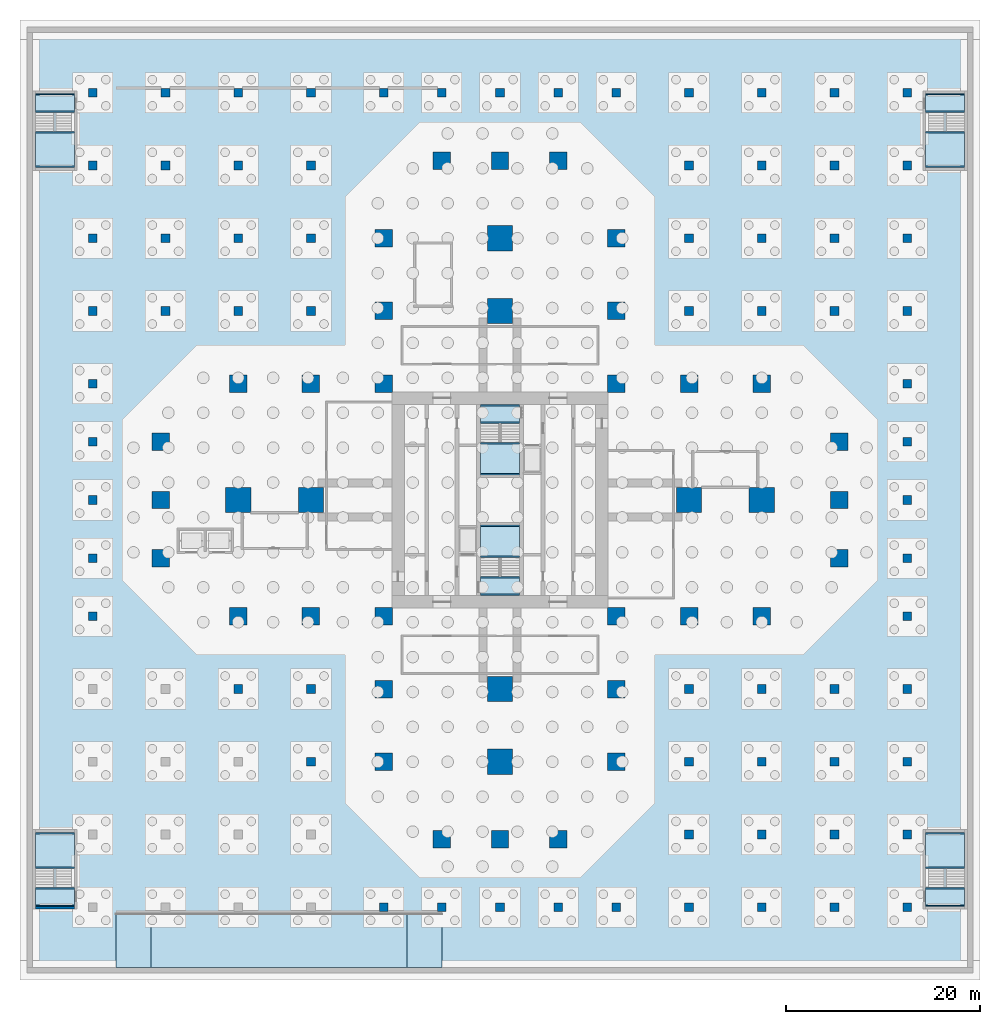
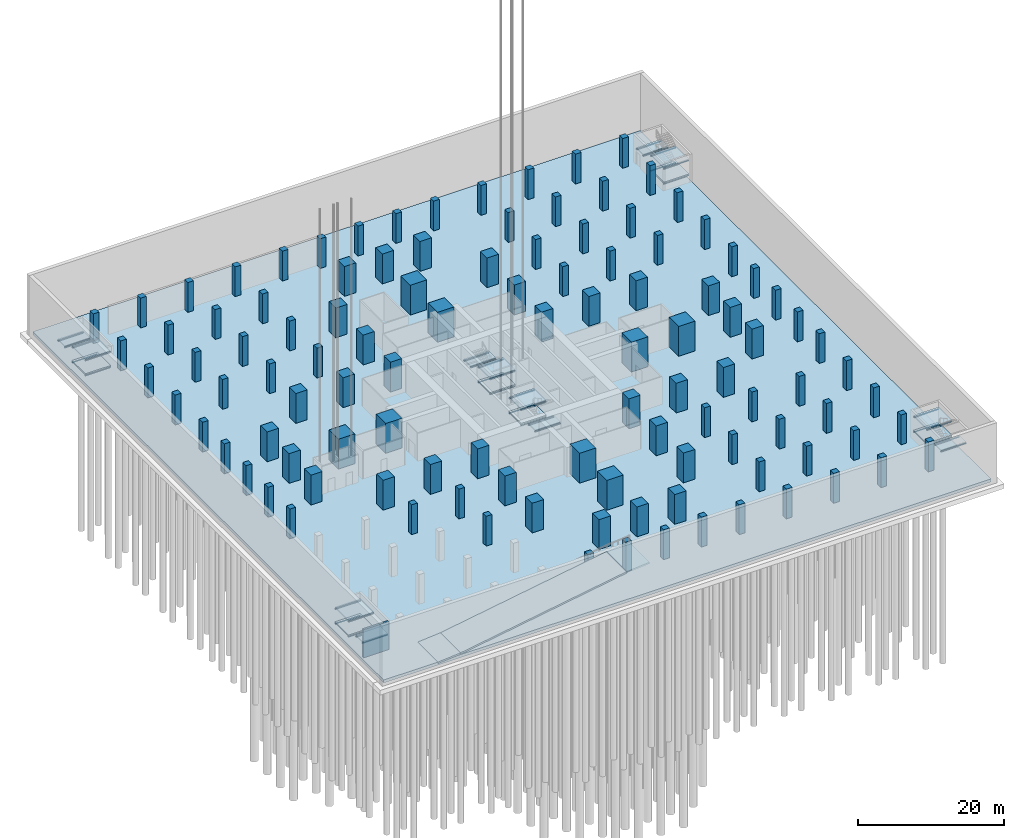
# One storey, part 4 of 31: 111 columns, 36 beams, 22 slabs, 1 wall, 6 elements without a shape of their own.
"""IFC4 building model written with IfcOpenShell, lengths in metres."""

from ifc_helpers import new_model, si_unit, direction, frame, frame_2d, origin, origin_2d, place, context, subcontext, project, spatial, polyline, rectangle, hollow_rectangle, outline, extrude, material, layer, layer_set, material_profile, profile_set, type_object, element, aggregate, save


model = new_model("IFC4")

# Units and contexts
model_context = context("Model", 3, precision=1e-05, world=origin(), true_north=direction((0.0, 1.0)))
body_context = subcontext(model_context, "Body", "Model", "MODEL_VIEW")
ifc_project = project(units=[si_unit("LENGTHUNIT", "METRE"), si_unit("AREAUNIT", "SQUARE_METRE"), si_unit("VOLUMEUNIT", "CUBIC_METRE"), si_unit("PLANEANGLEUNIT", "RADIAN"), si_unit("MASSUNIT", "GRAM", prefix="KILO")], contexts=[model_context])

# Site, building, storey
site_placement = place(None, origin())
site = spatial("IfcSite", under=ifc_project, at=site_placement, CompositionType="ELEMENT")
building_placement = place(site_placement, origin())
building = spatial("IfcBuilding", under=site, at=building_placement, Name="Mizan Broadcast Tower", CompositionType="ELEMENT")
storey_placement = place(building_placement, frame((0.0, 0.0, -10.0)))
storey = spatial("IfcBuildingStorey", under=building, at=storey_placement, Name="B2", CompositionType="ELEMENT", Elevation=-10.0)

# Columns
ifc_material_1 = material(Name="Concrete C70/85", Category="concrete")
ifc_material_profile_1 = material_profile(ifc_material_1, rectangle(XDim=1.800048828125, YDim=1.800048828125, at=origin_2d()), Name="RC 1800x1800")
ifc_profile_set_1 = profile_set([ifc_material_profile_1], Name="Concrete C70/85")
column_type_1 = type_object("IfcColumnType", Name="RC COLUMN 1800x1800 C70/85", PredefinedType="COLUMN", material=ifc_profile_set_1)
for number, where, z_axis, x_axis, name in (
    (1, (-6.0, -35.0, 0.0), (0.0, 0.0, 1.0), (1.0, 0.0, 0.0), "Column 5/A B2"),
    (2, (0.0, -35.0, 0.0), (0.0, 0.0, 1.0), (1.0, 0.0, 0.0), "Column 6/A B2"),
    (3, (6.0, -35.0, 0.0), (0.0, 0.0, 1.0), (1.0, 0.0, 0.0), "Column 7/A B2"),
    (4, (-12.0, -27.0, 0.0), (0.0, 0.0, 1.0), (1.0, 0.0, 0.0), "Column 4/B B2"),
    (5, (12.0, -27.0, 0.0), (0.0, 0.0, 1.0), (1.0, 0.0, 0.0), "Column 8/B B2"),
    (6, (-12.0, -19.5, 0.0), (0.0, 0.0, 1.0), (1.0, 0.0, 0.0), "Column 4/C B2"),
    (7, (12.0, -19.5, 0.0), (0.0, 0.0, 1.0), (1.0, 0.0, 0.0), "Column 8/C B2"),
    (8, (-27.0, -12.0, 0.0), (0.0, 0.0, 1.0), (1.0, 0.0, 0.0), "Column 2/D B2"),
    (9, (-19.5, -12.0, 0.0), (0.0, 0.0, 1.0), (1.0, 0.0, 0.0), "Column 3/D B2"),
    (10, (-12.0, -12.0, 0.0), (0.0, 0.0, 1.0), (1.0, 0.0, 0.0), "Column 4/D B2"),
    (11, (12.0, -12.0, 0.0), (0.0, 0.0, 1.0), (1.0, 0.0, 0.0), "Column 8/D B2"),
    (12, (19.5, -12.0, 0.0), (0.0, 0.0, 1.0), (1.0, 0.0, 0.0), "Column 9/D B2"),
    (13, (27.0, -12.0, 0.0), (0.0, 0.0, 1.0), (1.0, 0.0, 0.0), "Column 10/D B2"),
    (14, (-35.0, -6.0, 0.0), (0.0, 0.0, 1.0), (1.0, 0.0, 0.0), "Column 1/E B2"),
    (15, (35.0, -6.0, 0.0), (0.0, 0.0, 1.0), (1.0, 0.0, 0.0), "Column 11/E B2"),
    (16, (-35.0, 0.0, 0.0), (0.0, 0.0, 1.0), (1.0, 0.0, 0.0), "Column 1/F B2"),
    (17, (35.0, 0.0, 0.0), (0.0, 0.0, 1.0), (1.0, 0.0, 0.0), "Column 11/F B2"),
    (18, (-35.0, 6.0, 0.0), (0.0, 0.0, 1.0), (1.0, 0.0, 0.0), "Column 1/G B2"),
    (19, (35.0, 6.0, 0.0), (0.0, 0.0, 1.0), (1.0, 0.0, 0.0), "Column 11/G B2"),
    (20, (-27.0, 12.0, 0.0), (0.0, 0.0, 1.0), (1.0, 0.0, 0.0), "Column 2/H B2"),
    (21, (-19.5, 12.0, 0.0), (0.0, 0.0, 1.0), (1.0, 0.0, 0.0), "Column 3/H B2"),
    (22, (-12.0, 12.0, 0.0), (0.0, 0.0, 1.0), (1.0, 0.0, 0.0), "Column 4/H B2"),
    (23, (12.0, 12.0, 0.0), (0.0, 0.0, 1.0), (1.0, 0.0, 0.0), "Column 8/H B2"),
    (24, (19.5, 12.0, 0.0), (0.0, 0.0, 1.0), (1.0, 0.0, 0.0), "Column 9/H B2"),
    (25, (27.0, 12.0, 0.0), (0.0, 0.0, 1.0), (1.0, 0.0, 0.0), "Column 10/H B2"),
    (26, (-12.0, 19.5, 0.0), (0.0, 0.0, 1.0), (1.0, 0.0, 0.0), "Column 4/J B2"),
    (27, (12.0, 19.5, 0.0), (0.0, 0.0, 1.0), (1.0, 0.0, 0.0), "Column 8/J B2"),
    (28, (-12.0, 27.0, 0.0), (0.0, 0.0, 1.0), (1.0, 0.0, 0.0), "Column 4/K B2"),
    (29, (12.0, 27.0, 0.0), (0.0, 0.0, 1.0), (1.0, 0.0, 0.0), "Column 8/K B2"),
    (30, (-6.0, 35.0, 0.0), (0.0, 0.0, 1.0), (1.0, 0.0, 0.0), "Column 5/L B2"),
    (31, (0.0, 35.0, 0.0), (0.0, 0.0, 1.0), (1.0, 0.0, 0.0), "Column 6/L B2"),
    (32, (6.0, 35.0, 0.0), (0.0, 0.0, 1.0), (1.0, 0.0, 0.0), "Column 7/L B2"),
):
    element("IfcColumn", number, at=place(storey_placement, frame(where, z_axis=z_axis, x_axis=x_axis)), inside=storey, type_object=column_type_1, Name=name, PredefinedType="COLUMN", context=body_context, shape_type="SweptSolid", body=[
        extrude(rectangle(XDim=1.800048828125, YDim=1.800048828125, at=origin_2d()), origin(), (0.0, 0.0, 1.0), 5.0),
    ])
ifc_material_2 = material(Name="Concrete C70/85", Category="concrete")
ifc_material_profile_2 = material_profile(ifc_material_2, rectangle(XDim=2.60009765625, YDim=2.60009765625, at=origin_2d()), Name="RC 2600x2600")
ifc_profile_set_2 = profile_set([ifc_material_profile_2], Name="Concrete C70/85")
column_type_2 = type_object("IfcColumnType", Name="RC COLUMN 2600x2600 C70/85", PredefinedType="COLUMN", material=ifc_profile_set_2)
for number, where, z_axis, x_axis, name in (
    (33, (0.0, -27.0, 0.0), (0.0, 0.0, 1.0), (1.0, 0.0, 0.0), "Column 6/B B2"),
    (34, (0.0, -19.5, 0.0), (0.0, 0.0, 1.0), (1.0, 0.0, 0.0), "Column 6/C B2"),
    (35, (-27.0, 0.0, 0.0), (0.0, 0.0, 1.0), (1.0, 0.0, 0.0), "Column 2/F B2"),
    (36, (-19.5, 0.0, 0.0), (0.0, 0.0, 1.0), (1.0, 0.0, 0.0), "Column 3/F B2"),
    (37, (19.5, 0.0, 0.0), (0.0, 0.0, 1.0), (1.0, 0.0, 0.0), "Column 9/F B2"),
    (38, (27.0, 0.0, 0.0), (0.0, 0.0, 1.0), (1.0, 0.0, 0.0), "Column 10/F B2"),
    (39, (0.0, 19.5, 0.0), (0.0, 0.0, 1.0), (1.0, 0.0, 0.0), "Column 6/J B2"),
    (40, (0.0, 27.0, 0.0), (0.0, 0.0, 1.0), (1.0, 0.0, 0.0), "Column 6/K B2"),
):
    element("IfcColumn", number, at=place(storey_placement, frame(where, z_axis=z_axis, x_axis=x_axis)), inside=storey, type_object=column_type_2, Name=name, PredefinedType="COLUMN", context=body_context, shape_type="SweptSolid", body=[
        extrude(rectangle(XDim=2.60009765625, YDim=2.60009765625, at=origin_2d()), origin(), (0.0, 0.0, 1.0), 5.0),
    ])
ifc_material_3 = material(Name="Concrete C70/85", Category="concrete")
ifc_material_profile_3 = material_profile(ifc_material_3, rectangle(XDim=0.89990234375, YDim=0.89990234375, at=origin_2d()), Name="RC 900x900")
ifc_profile_set_3 = profile_set([ifc_material_profile_3], Name="Concrete C70/85")
column_type_3 = type_object("IfcColumnType", Name="RC COLUMN 900x900 C70/85", PredefinedType="COLUMN", material=ifc_profile_set_3)
for number, where, z_axis, x_axis, name in (
    (41, (-12.0, -42.0, -0.5), (0.0, 0.0, 1.0), (1.0, 0.0, 0.0), "Basement column at -12, -42"),
    (42, (-6.0, -42.0, -0.5), (0.0, 0.0, 1.0), (1.0, 0.0, 0.0), "Basement column at -6, -42"),
    (43, (0.0, -42.0, -0.5), (0.0, 0.0, 1.0), (1.0, 0.0, 0.0), "Basement column at 0, -42"),
    (44, (6.0, -42.0, -0.5), (0.0, 0.0, 1.0), (1.0, 0.0, 0.0), "Basement column at 6, -42"),
    (45, (12.0, -42.0, -0.5), (0.0, 0.0, 1.0), (1.0, 0.0, 0.0), "Basement column at 12, -42"),
    (46, (19.5, -42.0, -0.5), (0.0, 0.0, 1.0), (1.0, 0.0, 0.0), "Basement column at 19.5, -42"),
    (47, (27.0, -42.0, -0.5), (0.0, 0.0, 1.0), (1.0, 0.0, 0.0), "Basement column at 27, -42"),
    (48, (34.5, -42.0, -0.5), (0.0, 0.0, 1.0), (1.0, 0.0, 0.0), "Basement column at 34.5, -42"),
    (49, (42.0, -42.0, -0.5), (0.0, 0.0, 1.0), (1.0, 0.0, 0.0), "Basement column at 42, -42"),
    (50, (19.5, -34.5, -0.5), (0.0, 0.0, 1.0), (1.0, 0.0, 0.0), "Basement column at 19.5, -34.5"),
    (51, (27.0, -34.5, -0.5), (0.0, 0.0, 1.0), (1.0, 0.0, 0.0), "Basement column at 27, -34.5"),
    (52, (34.5, -34.5, -0.5), (0.0, 0.0, 1.0), (1.0, 0.0, 0.0), "Basement column at 34.5, -34.5"),
    (53, (42.0, -34.5, -0.5), (0.0, 0.0, 1.0), (1.0, 0.0, 0.0), "Basement column at 42, -34.5"),
    (54, (-19.5, -27.0, -0.5), (0.0, 0.0, 1.0), (1.0, 0.0, 0.0), "Basement column at -19.5, -27"),
    (55, (19.5, -27.0, -0.5), (0.0, 0.0, 1.0), (1.0, 0.0, 0.0), "Basement column at 19.5, -27"),
    (56, (27.0, -27.0, -0.5), (0.0, 0.0, 1.0), (1.0, 0.0, 0.0), "Basement column at 27, -27"),
    (57, (34.5, -27.0, -0.5), (0.0, 0.0, 1.0), (1.0, 0.0, 0.0), "Basement column at 34.5, -27"),
    (58, (42.0, -27.0, -0.5), (0.0, 0.0, 1.0), (1.0, 0.0, 0.0), "Basement column at 42, -27"),
    (59, (-27.0, -19.5, -0.5), (0.0, 0.0, 1.0), (1.0, 0.0, 0.0), "Basement column at -27, -19.5"),
    (60, (-19.5, -19.5, -0.5), (0.0, 0.0, 1.0), (1.0, 0.0, 0.0), "Basement column at -19.5, -19.5"),
    (61, (19.5, -19.5, -0.5), (0.0, 0.0, 1.0), (1.0, 0.0, 0.0), "Basement column at 19.5, -19.5"),
    (62, (27.0, -19.5, -0.5), (0.0, 0.0, 1.0), (1.0, 0.0, 0.0), "Basement column at 27, -19.5"),
    (63, (34.5, -19.5, -0.5), (0.0, 0.0, 1.0), (1.0, 0.0, 0.0), "Basement column at 34.5, -19.5"),
    (64, (42.0, -19.5, -0.5), (0.0, 0.0, 1.0), (1.0, 0.0, 0.0), "Basement column at 42, -19.5"),
    (65, (-42.0, -12.0, -0.5), (0.0, 0.0, 1.0), (1.0, 0.0, 0.0), "Basement column at -42, -12"),
    (66, (42.0, -12.0, -0.5), (0.0, 0.0, 1.0), (1.0, 0.0, 0.0), "Basement column at 42, -12"),
    (67, (-42.0, -6.0, -0.5), (0.0, 0.0, 1.0), (1.0, 0.0, 0.0), "Basement column at -42, -6"),
    (68, (42.0, -6.0, -0.5), (0.0, 0.0, 1.0), (1.0, 0.0, 0.0), "Basement column at 42, -6"),
    (69, (-42.0, 0.0, -0.5), (0.0, 0.0, 1.0), (1.0, 0.0, 0.0), "Basement column at -42, 0"),
    (70, (42.0, 0.0, -0.5), (0.0, 0.0, 1.0), (1.0, 0.0, 0.0), "Basement column at 42, 0"),
    (71, (-42.0, 6.0, -0.5), (0.0, 0.0, 1.0), (1.0, 0.0, 0.0), "Basement column at -42, 6"),
    (72, (42.0, 6.0, -0.5), (0.0, 0.0, 1.0), (1.0, 0.0, 0.0), "Basement column at 42, 6"),
    (73, (-42.0, 12.0, -0.5), (0.0, 0.0, 1.0), (1.0, 0.0, 0.0), "Basement column at -42, 12"),
    (74, (42.0, 12.0, -0.5), (0.0, 0.0, 1.0), (1.0, 0.0, 0.0), "Basement column at 42, 12"),
    (75, (-42.0, 19.5, -0.5), (0.0, 0.0, 1.0), (1.0, 0.0, 0.0), "Basement column at -42, 19.5"),
    (76, (-34.5, 19.5, -0.5), (0.0, 0.0, 1.0), (1.0, 0.0, 0.0), "Basement column at -34.5, 19.5"),
    (77, (-27.0, 19.5, -0.5), (0.0, 0.0, 1.0), (1.0, 0.0, 0.0), "Basement column at -27, 19.5"),
    (78, (-19.5, 19.5, -0.5), (0.0, 0.0, 1.0), (1.0, 0.0, 0.0), "Basement column at -19.5, 19.5"),
    (79, (19.5, 19.5, -0.5), (0.0, 0.0, 1.0), (1.0, 0.0, 0.0), "Basement column at 19.5, 19.5"),
    (80, (27.0, 19.5, -0.5), (0.0, 0.0, 1.0), (1.0, 0.0, 0.0), "Basement column at 27, 19.5"),
    (81, (34.5, 19.5, -0.5), (0.0, 0.0, 1.0), (1.0, 0.0, 0.0), "Basement column at 34.5, 19.5"),
    (82, (42.0, 19.5, -0.5), (0.0, 0.0, 1.0), (1.0, 0.0, 0.0), "Basement column at 42, 19.5"),
    (83, (-42.0, 27.0, -0.5), (0.0, 0.0, 1.0), (1.0, 0.0, 0.0), "Basement column at -42, 27"),
    (84, (-34.5, 27.0, -0.5), (0.0, 0.0, 1.0), (1.0, 0.0, 0.0), "Basement column at -34.5, 27"),
    (85, (-27.0, 27.0, -0.5), (0.0, 0.0, 1.0), (1.0, 0.0, 0.0), "Basement column at -27, 27"),
    (86, (-19.5, 27.0, -0.5), (0.0, 0.0, 1.0), (1.0, 0.0, 0.0), "Basement column at -19.5, 27"),
    (87, (19.5, 27.0, -0.5), (0.0, 0.0, 1.0), (1.0, 0.0, 0.0), "Basement column at 19.5, 27"),
    (88, (27.0, 27.0, -0.5), (0.0, 0.0, 1.0), (1.0, 0.0, 0.0), "Basement column at 27, 27"),
    (89, (34.5, 27.0, -0.5), (0.0, 0.0, 1.0), (1.0, 0.0, 0.0), "Basement column at 34.5, 27"),
    (90, (42.0, 27.0, -0.5), (0.0, 0.0, 1.0), (1.0, 0.0, 0.0), "Basement column at 42, 27"),
    (91, (-42.0, 34.5, -0.5), (0.0, 0.0, 1.0), (1.0, 0.0, 0.0), "Basement column at -42, 34.5"),
    (92, (-34.5, 34.5, -0.5), (0.0, 0.0, 1.0), (1.0, 0.0, 0.0), "Basement column at -34.5, 34.5"),
    (93, (-27.0, 34.5, -0.5), (0.0, 0.0, 1.0), (1.0, 0.0, 0.0), "Basement column at -27, 34.5"),
    (94, (-19.5, 34.5, -0.5), (0.0, 0.0, 1.0), (1.0, 0.0, 0.0), "Basement column at -19.5, 34.5"),
    (95, (19.5, 34.5, -0.5), (0.0, 0.0, 1.0), (1.0, 0.0, 0.0), "Basement column at 19.5, 34.5"),
    (96, (27.0, 34.5, -0.5), (0.0, 0.0, 1.0), (1.0, 0.0, 0.0), "Basement column at 27, 34.5"),
    (97, (34.5, 34.5, -0.5), (0.0, 0.0, 1.0), (1.0, 0.0, 0.0), "Basement column at 34.5, 34.5"),
    (98, (42.0, 34.5, -0.5), (0.0, 0.0, 1.0), (1.0, 0.0, 0.0), "Basement column at 42, 34.5"),
    (99, (-42.0, 42.0, -0.5), (0.0, 0.0, 1.0), (1.0, 0.0, 0.0), "Basement column at -42, 42"),
    (100, (-34.5, 42.0, -0.5), (0.0, 0.0, 1.0), (1.0, 0.0, 0.0), "Basement column at -34.5, 42"),
    (101, (-27.0, 42.0, -0.5), (0.0, 0.0, 1.0), (1.0, 0.0, 0.0), "Basement column at -27, 42"),
    (102, (-19.5, 42.0, -0.5), (0.0, 0.0, 1.0), (1.0, 0.0, 0.0), "Basement column at -19.5, 42"),
    (103, (-12.0, 42.0, -0.5), (0.0, 0.0, 1.0), (1.0, 0.0, 0.0), "Basement column at -12, 42"),
    (104, (-6.0, 42.0, -0.5), (0.0, 0.0, 1.0), (1.0, 0.0, 0.0), "Basement column at -6, 42"),
    (105, (0.0, 42.0, -0.5), (0.0, 0.0, 1.0), (1.0, 0.0, 0.0), "Basement column at 0, 42"),
    (106, (6.0, 42.0, -0.5), (0.0, 0.0, 1.0), (1.0, 0.0, 0.0), "Basement column at 6, 42"),
    (107, (12.0, 42.0, -0.5), (0.0, 0.0, 1.0), (1.0, 0.0, 0.0), "Basement column at 12, 42"),
    (108, (19.5, 42.0, -0.5), (0.0, 0.0, 1.0), (1.0, 0.0, 0.0), "Basement column at 19.5, 42"),
    (109, (27.0, 42.0, -0.5), (0.0, 0.0, 1.0), (1.0, 0.0, 0.0), "Basement column at 27, 42"),
    (110, (34.5, 42.0, -0.5), (0.0, 0.0, 1.0), (1.0, 0.0, 0.0), "Basement column at 34.5, 42"),
    (111, (42.0, 42.0, -0.5), (0.0, 0.0, 1.0), (1.0, 0.0, 0.0), "Basement column at 42, 42"),
):
    element("IfcColumn", number, at=place(storey_placement, frame(where, z_axis=z_axis, x_axis=x_axis)), inside=storey, type_object=column_type_3, Name=name, PredefinedType="COLUMN", context=body_context, shape_type="SweptSolid", body=[
        extrude(rectangle(XDim=0.89990234375, YDim=0.89990234375, at=origin_2d()), origin(), (0.0, 0.0, 1.0), 5.5),
    ])

# Beams
ifc_material_4 = material(Name="Steel S355", Category="steel")
ifc_material_profile_4 = material_profile(ifc_material_4, hollow_rectangle(XDim=0.14990234375, YDim=0.14990234375, WallThickness=0.008056640625, InnerFilletRadius=0.008056640625, OuterFilletRadius=0.011962890625, at=origin_2d()), Name="SHS 150x150x8")
ifc_profile_set_4 = profile_set([ifc_material_profile_4], Name="Steel S355")
beam_type = type_object("IfcBeamType", Name="LANDING TRIMMER SHS 150x150x8", PredefinedType="BEAM", material=ifc_profile_set_4)
for number, where, z_axis, x_axis, name in (
    (112, (-2.0, -5.864990234375, 0.97509765625), (1.0, 0.0, 0.0), (0.0, 1.0, 0.0), "Stair A landing trimmer B2"),
    (113, (-2.0, -2.64990234375, 0.97509765625), (1.0, 0.0, 0.0), (0.0, 1.0, 0.0), "Stair A landing trimmer B2"),
    (114, (-2.0, -9.77490234375, 2.22509765625), (1.0, 0.0, 0.0), (0.0, 1.0, 0.0), "Stair A landing trimmer B2"),
    (115, (-2.0, -7.97509765625, 2.22509765625), (1.0, 0.0, 0.0), (0.0, 1.0, 0.0), "Stair A landing trimmer B2"),
    (116, (-2.0, -5.864990234375, 3.47509765625), (1.0, 0.0, 0.0), (0.0, 1.0, 0.0), "Stair A landing trimmer B2"),
    (117, (-2.0, -2.64990234375, 3.47509765625), (1.0, 0.0, 0.0), (0.0, 1.0, 0.0), "Stair A landing trimmer B2"),
    (118, (2.0, 5.864990234375, 0.97509765625), (-1.0, 0.0, 0.0), (0.0, -1.0, 0.0), "Stair B landing trimmer B2"),
    (119, (2.0, 2.64990234375, 0.97509765625), (-1.0, 0.0, 0.0), (0.0, -1.0, 0.0), "Stair B landing trimmer B2"),
    (120, (2.0, 9.77490234375, 2.22509765625), (-1.0, 0.0, 0.0), (0.0, -1.0, 0.0), "Stair B landing trimmer B2"),
    (121, (2.0, 7.97509765625, 2.22509765625), (-1.0, 0.0, 0.0), (0.0, -1.0, 0.0), "Stair B landing trimmer B2"),
    (122, (2.0, 5.864990234375, 3.47509765625), (-1.0, 0.0, 0.0), (0.0, -1.0, 0.0), "Stair B landing trimmer B2"),
    (123, (2.0, 2.64990234375, 3.47509765625), (-1.0, 0.0, 0.0), (0.0, -1.0, 0.0), "Stair B landing trimmer B2"),
    (124, (43.89990234375, 37.9150390625, 0.97509765625), (1.0, 0.0, 0.0), (0.0, 1.0, 0.0), "Stair E landing trimmer B2"),
    (125, (43.89990234375, 34.375, 0.97509765625), (1.0, 0.0, 0.0), (0.0, 1.0, 0.0), "Stair E landing trimmer B2"),
    (126, (43.89990234375, 41.824951171875, 2.22509765625), (1.0, 0.0, 0.0), (0.0, 1.0, 0.0), "Stair E landing trimmer B2"),
    (127, (43.89990234375, 40.02490234375, 2.22509765625), (1.0, 0.0, 0.0), (0.0, 1.0, 0.0), "Stair E landing trimmer B2"),
    (128, (43.89990234375, 37.9150390625, 3.47509765625), (1.0, 0.0, 0.0), (0.0, 1.0, 0.0), "Stair E landing trimmer B2"),
    (129, (43.89990234375, 34.375, 3.47509765625), (1.0, 0.0, 0.0), (0.0, 1.0, 0.0), "Stair E landing trimmer B2"),
    (130, (-43.89990234375, 37.9150390625, 0.97509765625), (-1.0, 0.0, 0.0), (0.0, -1.0, 0.0), "Stair F landing trimmer B2"),
    (131, (-43.89990234375, 34.375, 0.97509765625), (-1.0, 0.0, 0.0), (0.0, -1.0, 0.0), "Stair F landing trimmer B2"),
    (132, (-43.89990234375, 41.824951171875, 2.22509765625), (-1.0, 0.0, 0.0), (0.0, -1.0, 0.0), "Stair F landing trimmer B2"),
    (133, (-43.89990234375, 40.02490234375, 2.22509765625), (-1.0, 0.0, 0.0), (0.0, -1.0, 0.0), "Stair F landing trimmer B2"),
    (134, (-43.89990234375, 37.9150390625, 3.47509765625), (-1.0, 0.0, 0.0), (0.0, -1.0, 0.0), "Stair F landing trimmer B2"),
    (135, (-43.89990234375, 34.375, 3.47509765625), (-1.0, 0.0, 0.0), (0.0, -1.0, 0.0), "Stair F landing trimmer B2"),
    (136, (-43.89990234375, -37.9150390625, 0.97509765625), (-1.0, 0.0, 0.0), (0.0, -1.0, 0.0), "Stair G landing trimmer B2"),
    (137, (-43.89990234375, -34.375, 0.97509765625), (-1.0, 0.0, 0.0), (0.0, -1.0, 0.0), "Stair G landing trimmer B2"),
    (138, (-43.89990234375, -41.824951171875, 2.22509765625), (-1.0, 0.0, 0.0), (0.0, -1.0, 0.0), "Stair G landing trimmer B2"),
    (139, (-43.89990234375, -40.02490234375, 2.22509765625), (-1.0, 0.0, 0.0), (0.0, -1.0, 0.0), "Stair G landing trimmer B2"),
    (140, (-43.89990234375, -37.9150390625, 3.47509765625), (-1.0, 0.0, 0.0), (0.0, -1.0, 0.0), "Stair G landing trimmer B2"),
    (141, (-43.89990234375, -34.375, 3.47509765625), (-1.0, 0.0, 0.0), (0.0, -1.0, 0.0), "Stair G landing trimmer B2"),
    (142, (43.89990234375, -37.9150390625, 0.97509765625), (1.0, 0.0, 0.0), (0.0, 1.0, 0.0), "Stair H landing trimmer B2"),
    (143, (43.89990234375, -34.375, 0.97509765625), (1.0, 0.0, 0.0), (0.0, 1.0, 0.0), "Stair H landing trimmer B2"),
    (144, (43.89990234375, -41.824951171875, 2.22509765625), (1.0, 0.0, 0.0), (0.0, 1.0, 0.0), "Stair H landing trimmer B2"),
    (145, (43.89990234375, -40.02490234375, 2.22509765625), (1.0, 0.0, 0.0), (0.0, 1.0, 0.0), "Stair H landing trimmer B2"),
    (146, (43.89990234375, -37.9150390625, 3.47509765625), (1.0, 0.0, 0.0), (0.0, 1.0, 0.0), "Stair H landing trimmer B2"),
    (147, (43.89990234375, -34.375, 3.47509765625), (1.0, 0.0, 0.0), (0.0, 1.0, 0.0), "Stair H landing trimmer B2"),
):
    element("IfcBeam", number, at=place(storey_placement, frame(where, z_axis=z_axis, x_axis=x_axis)), inside=storey, type_object=beam_type, Name=name, PredefinedType="BEAM", context=body_context, shape_type="SweptSolid", body=[
        extrude(hollow_rectangle(XDim=0.14990234375, YDim=0.14990234375, WallThickness=0.008056640625, InnerFilletRadius=0.008056640625, OuterFilletRadius=0.011962890625, at=origin_2d()), origin(), (0.0, 0.0, 1.0), 4.0),
    ])

# Slab
ifc_material_5 = material(Name="Concrete C40/50", Category="concrete")
ifc_layer_1 = layer(ifc_material_5, 0.5)
ifc_layer_set_1 = layer_set([ifc_layer_1], Name="Concrete C40/50")
slab_type_1 = type_object("IfcSlabType", Name="BASEMENT SLAB 500", PredefinedType="BASESLAB", material=ifc_layer_set_1)
slab_1_placement = place(storey_placement, frame((0.0, 0.0, -0.5)))
element("IfcSlab", 148, at=slab_1_placement, inside=storey, type_object=slab_type_1, Name="Basement slab B2", PredefinedType="BASESLAB", context=body_context, shape_type="SweptSolid", body=[
    extrude(outline(polyline([(48.199951171875, -48.199951171875), (48.199951171875, 48.199951171875), (-48.199951171875, 48.199951171875), (-48.199951171875, -48.199951171875), (48.199951171875, -48.199951171875)])), origin(), (0.0, 0.0, 1.0), 0.5),
])

# Stair, slabs
ifc_material_6 = material(Name="Concrete C40/50", Category="concrete")
stair_type = type_object("IfcStairType", Name="EXIT STAIR", PredefinedType="HALF_TURN_STAIR", material=ifc_material_6)
stair_1_placement = place(storey_placement, origin())
stair_1 = element("IfcStair", 149, at=stair_1_placement, inside=storey, type_object=stair_type, Name="Stair A B2", PredefinedType="HALF_TURN_STAIR")
ifc_material_7 = material(Name="Concrete C40/50", Category="concrete")
ifc_layer_2 = layer(ifc_material_7, 0.199951171875)
ifc_layer_set_2 = layer_set([ifc_layer_2], Name="Concrete C40/50")
slab_type_2 = type_object("IfcSlabType", Name="STAIR LANDING 200", PredefinedType="LANDING", material=ifc_layer_set_2)
slab_2_placement = place(storey_placement, frame((0.0, 0.0, 1.050048828125)))
slab_2 = element("IfcSlab", 150, at=slab_2_placement, type_object=slab_type_2, Name="A landing 1", PredefinedType="LANDING", context=body_context, shape_type="SweptSolid", body=[
    extrude(outline(polyline([(-2.0, -5.93994140625), (-2.0, -2.574951171875), (2.0, -2.574951171875), (2.0, -5.93994140625), (-2.0, -5.93994140625)])), origin(), (0.0, 0.0, 1.0), 0.199951171875),
])
slab_3_placement = place(storey_placement, frame((0.0, 0.0, 2.300048828125)))
slab_3 = element("IfcSlab", 151, at=slab_3_placement, type_object=slab_type_2, Name="A landing 2", PredefinedType="LANDING", context=body_context, shape_type="SweptSolid", body=[
    extrude(outline(polyline([(-2.0, -9.85009765625), (-2.0, -7.89990234375), (2.0, -7.89990234375), (2.0, -9.85009765625), (-2.0, -9.85009765625)])), origin(), (0.0, 0.0, 1.0), 0.199951171875),
])
slab_4_placement = place(storey_placement, frame((0.0, 0.0, 3.550048828125)))
slab_4 = element("IfcSlab", 152, at=slab_4_placement, type_object=slab_type_2, Name="A landing 3", PredefinedType="LANDING", context=body_context, shape_type="SweptSolid", body=[
    extrude(outline(polyline([(-2.0, -5.93994140625), (-2.0, -2.574951171875), (2.0, -2.574951171875), (2.0, -5.93994140625), (-2.0, -5.93994140625)])), origin(), (0.0, 0.0, 1.0), 0.199951171875),
])
aggregate(stair_1, [slab_2, slab_3, slab_4])

stair_2_placement = place(storey_placement, origin())
stair_2 = element("IfcStair", 153, at=stair_2_placement, inside=storey, type_object=stair_type, Name="Stair B B2", PredefinedType="HALF_TURN_STAIR")
slab_5_placement = place(storey_placement, frame((0.0, 0.0, 1.050048828125)))
slab_5 = element("IfcSlab", 154, at=slab_5_placement, type_object=slab_type_2, Name="B landing 1", PredefinedType="LANDING", context=body_context, shape_type="SweptSolid", body=[
    extrude(outline(polyline([(2.0, 5.93994140625), (2.0, 2.574951171875), (-2.0, 2.574951171875), (-2.0, 5.93994140625), (2.0, 5.93994140625)])), origin(), (0.0, 0.0, 1.0), 0.199951171875),
])
slab_6_placement = place(storey_placement, frame((0.0, 0.0, 2.300048828125)))
slab_6 = element("IfcSlab", 155, at=slab_6_placement, type_object=slab_type_2, Name="B landing 2", PredefinedType="LANDING", context=body_context, shape_type="SweptSolid", body=[
    extrude(outline(polyline([(2.0, 9.85009765625), (2.0, 7.89990234375), (-2.0, 7.89990234375), (-2.0, 9.85009765625), (2.0, 9.85009765625)])), origin(), (0.0, 0.0, 1.0), 0.199951171875),
])
slab_7_placement = place(storey_placement, frame((0.0, 0.0, 3.550048828125)))
slab_7 = element("IfcSlab", 156, at=slab_7_placement, type_object=slab_type_2, Name="B landing 3", PredefinedType="LANDING", context=body_context, shape_type="SweptSolid", body=[
    extrude(outline(polyline([(2.0, 5.93994140625), (2.0, 2.574951171875), (-2.0, 2.574951171875), (-2.0, 5.93994140625), (2.0, 5.93994140625)])), origin(), (0.0, 0.0, 1.0), 0.199951171875),
])
aggregate(stair_2, [slab_5, slab_6, slab_7])

stair_3_placement = place(storey_placement, origin())
stair_3 = element("IfcStair", 157, at=stair_3_placement, inside=storey, type_object=stair_type, Name="Stair E B2", PredefinedType="HALF_TURN_STAIR")
slab_8_placement = place(storey_placement, frame((0.0, 0.0, 1.050048828125)))
slab_8 = element("IfcSlab", 158, at=slab_8_placement, type_object=slab_type_2, Name="E landing 1", PredefinedType="LANDING", context=body_context, shape_type="SweptSolid", body=[
    extrude(outline(polyline([(43.89990234375, 37.989990234375), (43.89990234375, 34.300048828125), (47.89990234375, 34.300048828125), (47.89990234375, 37.989990234375), (43.89990234375, 37.989990234375)])), origin(), (0.0, 0.0, 1.0), 0.199951171875),
])
slab_9_placement = place(storey_placement, frame((0.0, 0.0, 2.300048828125)))
slab_9 = element("IfcSlab", 159, at=slab_9_placement, type_object=slab_type_2, Name="E landing 2", PredefinedType="LANDING", context=body_context, shape_type="SweptSolid", body=[
    extrude(outline(polyline([(43.89990234375, 41.89990234375), (43.89990234375, 39.949951171875), (47.89990234375, 39.949951171875), (47.89990234375, 41.89990234375), (43.89990234375, 41.89990234375)])), origin(), (0.0, 0.0, 1.0), 0.199951171875),
])
slab_10_placement = place(storey_placement, frame((0.0, 0.0, 3.550048828125)))
slab_10 = element("IfcSlab", 160, at=slab_10_placement, type_object=slab_type_2, Name="E landing 3", PredefinedType="LANDING", context=body_context, shape_type="SweptSolid", body=[
    extrude(outline(polyline([(43.89990234375, 37.989990234375), (43.89990234375, 34.300048828125), (47.89990234375, 34.300048828125), (47.89990234375, 37.989990234375), (43.89990234375, 37.989990234375)])), origin(), (0.0, 0.0, 1.0), 0.199951171875),
])
aggregate(stair_3, [slab_8, slab_9, slab_10])

stair_4_placement = place(storey_placement, origin())
stair_4 = element("IfcStair", 161, at=stair_4_placement, inside=storey, type_object=stair_type, Name="Stair F B2", PredefinedType="HALF_TURN_STAIR")
slab_11_placement = place(storey_placement, frame((0.0, 0.0, 1.050048828125)))
slab_11 = element("IfcSlab", 162, at=slab_11_placement, type_object=slab_type_2, Name="F landing 1", PredefinedType="LANDING", context=body_context, shape_type="SweptSolid", body=[
    extrude(outline(polyline([(-43.89990234375, 37.989990234375), (-43.89990234375, 34.300048828125), (-47.89990234375, 34.300048828125), (-47.89990234375, 37.989990234375), (-43.89990234375, 37.989990234375)])), origin(), (0.0, 0.0, 1.0), 0.199951171875),
])
slab_12_placement = place(storey_placement, frame((0.0, 0.0, 2.300048828125)))
slab_12 = element("IfcSlab", 163, at=slab_12_placement, type_object=slab_type_2, Name="F landing 2", PredefinedType="LANDING", context=body_context, shape_type="SweptSolid", body=[
    extrude(outline(polyline([(-43.89990234375, 41.89990234375), (-43.89990234375, 39.949951171875), (-47.89990234375, 39.949951171875), (-47.89990234375, 41.89990234375), (-43.89990234375, 41.89990234375)])), origin(), (0.0, 0.0, 1.0), 0.199951171875),
])
slab_13_placement = place(storey_placement, frame((0.0, 0.0, 3.550048828125)))
slab_13 = element("IfcSlab", 164, at=slab_13_placement, type_object=slab_type_2, Name="F landing 3", PredefinedType="LANDING", context=body_context, shape_type="SweptSolid", body=[
    extrude(outline(polyline([(-43.89990234375, 37.989990234375), (-43.89990234375, 34.300048828125), (-47.89990234375, 34.300048828125), (-47.89990234375, 37.989990234375), (-43.89990234375, 37.989990234375)])), origin(), (0.0, 0.0, 1.0), 0.199951171875),
])
aggregate(stair_4, [slab_11, slab_12, slab_13])

stair_5_placement = place(storey_placement, origin())
stair_5 = element("IfcStair", 165, at=stair_5_placement, inside=storey, type_object=stair_type, Name="Stair G B2", PredefinedType="HALF_TURN_STAIR")
slab_14_placement = place(storey_placement, frame((0.0, 0.0, 1.050048828125)))
slab_14 = element("IfcSlab", 166, at=slab_14_placement, type_object=slab_type_2, Name="G landing 1", PredefinedType="LANDING", context=body_context, shape_type="SweptSolid", body=[
    extrude(outline(polyline([(-43.89990234375, -37.989990234375), (-43.89990234375, -34.300048828125), (-47.89990234375, -34.300048828125), (-47.89990234375, -37.989990234375), (-43.89990234375, -37.989990234375)])), origin(), (0.0, 0.0, 1.0), 0.199951171875),
])
slab_15_placement = place(storey_placement, frame((0.0, 0.0, 2.300048828125)))
slab_15 = element("IfcSlab", 167, at=slab_15_placement, type_object=slab_type_2, Name="G landing 2", PredefinedType="LANDING", context=body_context, shape_type="SweptSolid", body=[
    extrude(outline(polyline([(-43.89990234375, -41.89990234375), (-43.89990234375, -39.949951171875), (-47.89990234375, -39.949951171875), (-47.89990234375, -41.89990234375), (-43.89990234375, -41.89990234375)])), origin(), (0.0, 0.0, 1.0), 0.199951171875),
])
slab_16_placement = place(storey_placement, frame((0.0, 0.0, 3.550048828125)))
slab_16 = element("IfcSlab", 168, at=slab_16_placement, type_object=slab_type_2, Name="G landing 3", PredefinedType="LANDING", context=body_context, shape_type="SweptSolid", body=[
    extrude(outline(polyline([(-43.89990234375, -37.989990234375), (-43.89990234375, -34.300048828125), (-47.89990234375, -34.300048828125), (-47.89990234375, -37.989990234375), (-43.89990234375, -37.989990234375)])), origin(), (0.0, 0.0, 1.0), 0.199951171875),
])
aggregate(stair_5, [slab_14, slab_15, slab_16])

stair_6_placement = place(storey_placement, origin())
stair_6 = element("IfcStair", 169, at=stair_6_placement, inside=storey, type_object=stair_type, Name="Stair H B2", PredefinedType="HALF_TURN_STAIR")
slab_17_placement = place(storey_placement, frame((0.0, 0.0, 1.050048828125)))
slab_17 = element("IfcSlab", 170, at=slab_17_placement, type_object=slab_type_2, Name="H landing 1", PredefinedType="LANDING", context=body_context, shape_type="SweptSolid", body=[
    extrude(outline(polyline([(43.89990234375, -37.989990234375), (43.89990234375, -34.300048828125), (47.89990234375, -34.300048828125), (47.89990234375, -37.989990234375), (43.89990234375, -37.989990234375)])), origin(), (0.0, 0.0, 1.0), 0.199951171875),
])
slab_18_placement = place(storey_placement, frame((0.0, 0.0, 2.300048828125)))
slab_18 = element("IfcSlab", 171, at=slab_18_placement, type_object=slab_type_2, Name="H landing 2", PredefinedType="LANDING", context=body_context, shape_type="SweptSolid", body=[
    extrude(outline(polyline([(43.89990234375, -41.89990234375), (43.89990234375, -39.949951171875), (47.89990234375, -39.949951171875), (47.89990234375, -41.89990234375), (43.89990234375, -41.89990234375)])), origin(), (0.0, 0.0, 1.0), 0.199951171875),
])
slab_19_placement = place(storey_placement, frame((0.0, 0.0, 3.550048828125)))
slab_19 = element("IfcSlab", 172, at=slab_19_placement, type_object=slab_type_2, Name="H landing 3", PredefinedType="LANDING", context=body_context, shape_type="SweptSolid", body=[
    extrude(outline(polyline([(43.89990234375, -37.989990234375), (43.89990234375, -34.300048828125), (47.89990234375, -34.300048828125), (47.89990234375, -37.989990234375), (43.89990234375, -37.989990234375)])), origin(), (0.0, 0.0, 1.0), 0.199951171875),
])
aggregate(stair_6, [slab_17, slab_18, slab_19])

# Slabs
ifc_material_8 = material(Name="Concrete C40/50", Category="concrete")
ifc_layer_3 = layer(ifc_material_8, 0.25)
ifc_layer_set_3 = layer_set([ifc_layer_3], Name="Concrete C40/50")
slab_type_3 = type_object("IfcSlabType", Name="VEHICLE RAMP SLAB 250", PredefinedType="USERDEFINED", material=ifc_layer_set_3)
slab_20_placement = place(storey_placement, frame((-6.0, -48.199951171875, 5.0), z_axis=(-0.083056665618, 0.0, 0.996544826035), x_axis=(-0.996544826035, 0.0, -0.083056665618)))
element("IfcSlab", 173, at=slab_20_placement, inside=storey, type_object=slab_type_3, Name="Vehicle ramp R2 slab 1", ObjectType="RAMP", PredefinedType="USERDEFINED", context=body_context, shape_type="SweptSolid", body=[
    extrude(outline(polyline([(0.0, 0.0), (3.6125797477420383, 0.0), (3.6125797477420383, -5.550048828125), (0.0, -5.550048828125), (0.0, 0.0)])), origin(), (0.083056665618, 0.0, -0.996544826035), 0.25),
])
slab_21_placement = place(storey_placement, frame((-9.60009765625, -48.199951171875, 4.699951171875), z_axis=(-0.16439602883, 0.0, 0.986394416907), x_axis=(-0.986394416907, 0.0, -0.16439602883)))
element("IfcSlab", 174, at=slab_21_placement, inside=storey, type_object=slab_type_3, Name="Vehicle ramp R2 slab 2", ObjectType="RAMP", PredefinedType="USERDEFINED", context=body_context, shape_type="SweptSolid", body=[
    extrude(outline(polyline([(0.0, 0.0), (26.76404275131232, 0.0), (26.76404275131232, -5.550048828125), (0.0, -5.550048828125), (0.0, 0.0)])), origin(), (0.16439602883, 0.0, -0.986394416907), 0.25),
])
slab_22_placement = place(storey_placement, frame((-36.0, -48.199951171875, 0.300048828125), z_axis=(-0.083056665618, 0.0, 0.996544826035), x_axis=(-0.996544826035, 0.0, -0.083056665618)))
element("IfcSlab", 175, at=slab_22_placement, inside=storey, type_object=slab_type_3, Name="Vehicle ramp R2 slab 3", ObjectType="RAMP", PredefinedType="USERDEFINED", context=body_context, shape_type="SweptSolid", body=[
    extrude(outline(polyline([(0.0, 0.0), (3.6125797477420383, 0.0), (3.6125797477420383, -5.550048828125), (0.0, -5.550048828125), (0.0, 0.0)])), origin(), (0.083056665618, 0.0, -0.996544826035), 0.25),
])

# Wall
ifc_material_9 = material(Name="Concrete C40/50", Category="concrete")
ifc_layer_4 = layer(ifc_material_9, 0.300048828125)
ifc_layer_set_4 = layer_set([ifc_layer_4], Name="Concrete C40/50")
wall_type = type_object("IfcWallType", Name="STAIR SHAFT WALL 300 RC", PredefinedType="SOLIDWALL", material=ifc_layer_set_4)
wall_placement = place(storey_placement, frame((-43.89990234375, -42.050048828125, -0.5), z_axis=(0.0, 0.0, 1.0), x_axis=(-1.0, 0.0, 0.0)))
element("IfcWall", 176, at=wall_placement, inside=storey, type_object=wall_type, Name="Stair shaft wall G D", PredefinedType="SOLIDWALL", context=body_context, shape_type="SweptSolid", body=[
    extrude(rectangle(XDim=4.0, YDim=0.300048828125, at=frame_2d((2.0, 0.0))), origin(), (0.0, 0.0, 1.0), 5.199951171875),
])

save(model, "model.ifc")
